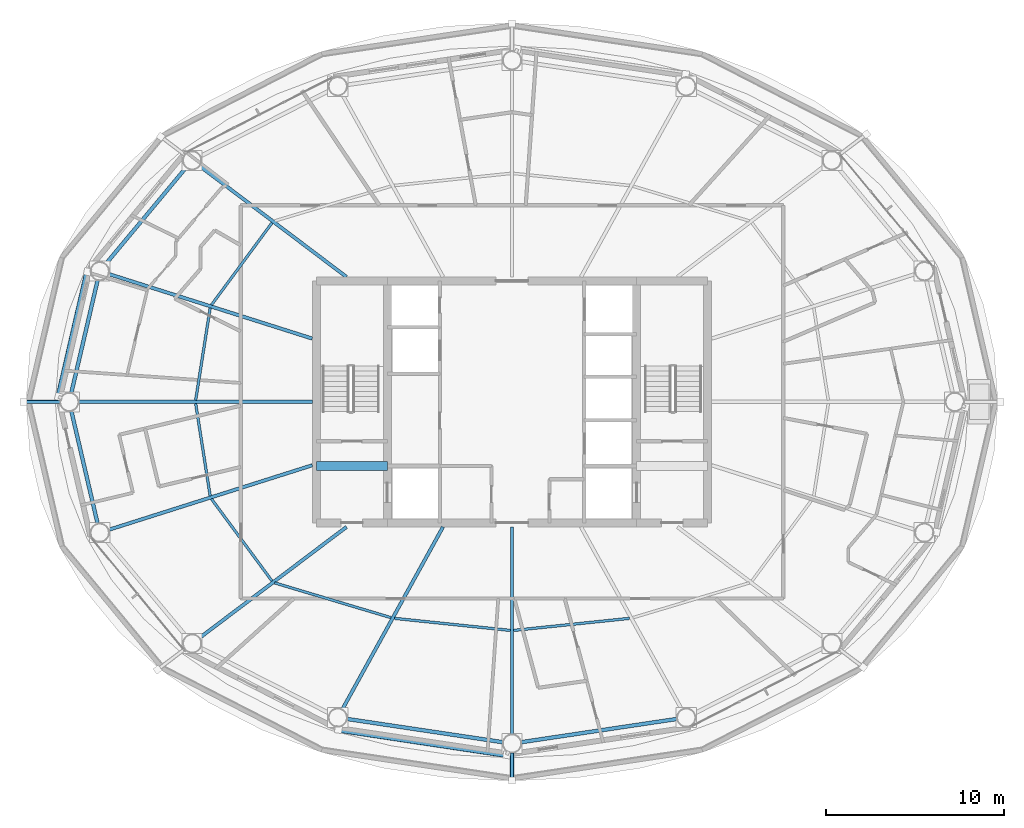
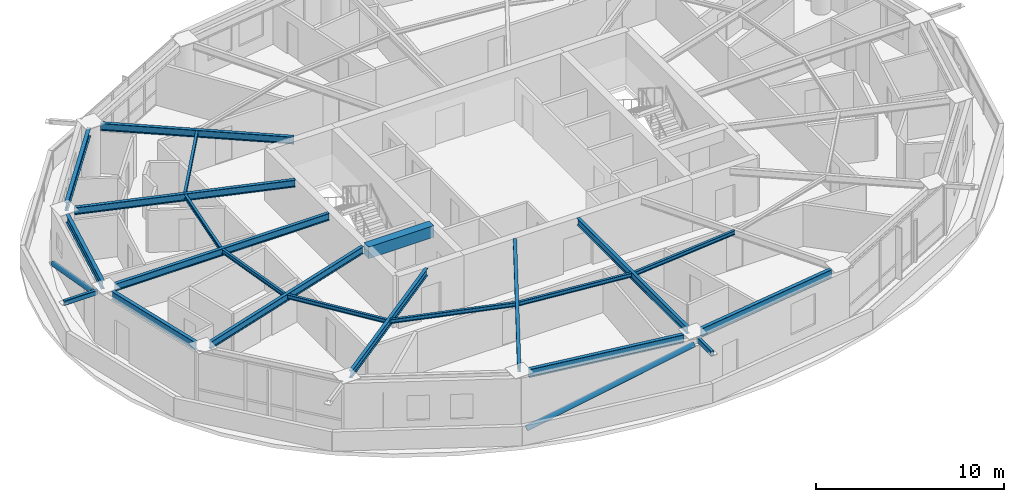
# One storey, part 4 of 22: 20 beams, 4 members.
"""IFC4 building model written with IfcOpenShell, lengths in metres."""

from ifc_helpers import new_model, si_unit, direction, frame, origin, origin_2d, place, context, subcontext, project, spatial, rectangle, hollow_rectangle, hollow_circle, i_section, extrude, material, material_profile, profile_set, type_object, element, save


model = new_model("IFC4")

# Units and contexts
model_context = context("Model", 3, precision=1e-05, world=origin(), true_north=direction((0.0, 1.0)))
body_context = subcontext(model_context, "Body", "Model", "MODEL_VIEW")
ifc_project = project(units=[si_unit("LENGTHUNIT", "METRE"), si_unit("AREAUNIT", "SQUARE_METRE"), si_unit("VOLUMEUNIT", "CUBIC_METRE"), si_unit("PLANEANGLEUNIT", "RADIAN"), si_unit("MASSUNIT", "GRAM", prefix="KILO")], contexts=[model_context])

# Site, building, storey
site_placement = place(None, origin())
site = spatial("IfcSite", under=ifc_project, at=site_placement, CompositionType="ELEMENT")
building_placement = place(site_placement, origin())
building = spatial("IfcBuilding", under=site, at=building_placement, Name="Sarneth Arch Tower", CompositionType="ELEMENT")
storey_placement = place(building_placement, frame((0.0, 0.0, 206.39990234375)))
storey = spatial("IfcBuildingStorey", under=building, at=storey_placement, Name="L52", CompositionType="ELEMENT", Elevation=206.39990234375)

# Beams
ifc_material_1 = material(Name="Steel S355", Category="steel")
ifc_material_profile_1 = material_profile(ifc_material_1, i_section(OverallWidth=0.14794921875, OverallDepth=0.26611328125, WebThickness=0.007568359375, FlangeThickness=0.012939453125, FilletRadius=0.012939453125, at=origin_2d()), Name="W250x44.8")
ifc_profile_set_1 = profile_set([ifc_material_profile_1], Name="Steel S355")
beam_type_1 = type_object("IfcBeamType", Name="BM-JOIST-250", PredefinedType="JOIST", material=ifc_profile_set_1)
beam_1_placement = place(storey_placement, frame((34.514404296875, 52.065185546875, 3.22705078125), z_axis=(-0.593720370701, -0.804671436932, 0.0), x_axis=(0.804671436932, -0.593720370701, 0.0)))
element("IfcBeam", 1, at=beam_1_placement, inside=storey, type_object=beam_type_1, Name="L52 Secondary floor joist 07", PredefinedType="JOIST", context=body_context, shape_type="SweptSolid", body=[
    extrude(i_section(OverallWidth=0.14794921875, OverallDepth=0.26611328125, WebThickness=0.007568359375, FlangeThickness=0.012939453125, FilletRadius=0.012939453125, at=origin_2d()), origin(), (0.0, 0.0, 1.0), 5.7333984375),
])
for number, where, z_axis, x_axis, name in (
    (2, (31.038330078125, 47.279541015625, 3.22705078125), (-0.155272204812, -0.987871723663, 0.0), (0.987871723663, -0.155272204812, 0.0), "L52 Secondary floor joist 08"),
    (3, (30.223388671875, 41.9052734375, 3.22705078125), (0.155272204812, -0.987871723663, 0.0), (0.987871723663, 0.155272204812, 0.0), "L52 Secondary floor joist 09"),
):
    element("IfcBeam", number, at=place(storey_placement, frame(where, z_axis=z_axis, x_axis=x_axis)), inside=storey, type_object=beam_type_1, Name=name, PredefinedType="JOIST", context=body_context, shape_type="SweptSolid", body=[
        extrude(i_section(OverallWidth=0.14794921875, OverallDepth=0.26611328125, WebThickness=0.007568359375, FlangeThickness=0.012939453125, FilletRadius=0.012939453125, at=origin_2d()), origin(), (0.0, 0.0, 1.0), 5.24853515625),
    ])
beam_2_placement = place(storey_placement, frame((31.1103515625, 36.54833984375, 3.22705078125), z_axis=(0.593720370701, -0.804671436932, 0.0), x_axis=(0.804671436932, 0.593720370701, 0.0)))
element("IfcBeam", 4, at=beam_2_placement, inside=storey, type_object=beam_type_1, Name="L52 Secondary floor joist 10", PredefinedType="JOIST", context=body_context, shape_type="SweptSolid", body=[
    extrude(i_section(OverallWidth=0.14794921875, OverallDepth=0.26611328125, WebThickness=0.007568359375, FlangeThickness=0.012939453125, FilletRadius=0.012939453125, at=origin_2d()), origin(), (0.0, 0.0, 1.0), 5.7333984375),
])
beam_3_placement = place(storey_placement, frame((34.663330078125, 31.830078125, 3.22705078125), z_axis=(0.958092748216, -0.286458174636, 0.0), x_axis=(0.286458174636, 0.958092748216, 0.0)))
element("IfcBeam", 5, at=beam_3_placement, inside=storey, type_object=beam_type_1, Name="L52 Secondary floor joist 11", PredefinedType="JOIST", context=body_context, shape_type="SweptSolid", body=[
    extrude(i_section(OverallWidth=0.14794921875, OverallDepth=0.26611328125, WebThickness=0.007568359375, FlangeThickness=0.012939453125, FilletRadius=0.012939453125, at=origin_2d()), origin(), (0.0, 0.0, 1.0), 6.8232421875),
])
for number, where, z_axis, x_axis, name in (
    (6, (41.38818359375, 29.838134765625, 3.22705078125), (0.994627285361, -0.103520834691, 0.0), (0.103520834691, 0.994627285361, 0.0), "L52 Secondary floor joist 12"),
    (7, (48.095458984375, 29.159912109375, 3.22705078125), (0.994627285361, 0.103520834691, 0.0), (-0.103520834691, 0.994627285361, 0.0), "L52 Secondary floor joist 13"),
):
    element("IfcBeam", number, at=place(storey_placement, frame(where, z_axis=z_axis, x_axis=x_axis)), inside=storey, type_object=beam_type_1, Name=name, PredefinedType="JOIST", context=body_context, shape_type="SweptSolid", body=[
        extrude(i_section(OverallWidth=0.14794921875, OverallDepth=0.26611328125, WebThickness=0.007568359375, FlangeThickness=0.012939453125, FilletRadius=0.012939453125, at=origin_2d()), origin(), (0.0, 0.0, 1.0), 6.551513671875),
    ])
ifc_material_2 = material(Name="Concrete C50/60", Category="concrete")
ifc_material_profile_2 = material_profile(ifc_material_2, rectangle(XDim=0.5, YDim=0.75, at=origin_2d()), Name="RC-500x750")
ifc_profile_set_2 = profile_set([ifc_material_profile_2], Name="Concrete C50/60")
beam_type_2 = type_object("IfcBeamType", Name="BM-LINTEL-RC", PredefinedType="LINTEL", material=ifc_profile_set_2)
beam_4_placement = place(storey_placement, frame((37.0, 38.39990234375, 2.985107421875), z_axis=(1.0, 0.0, 0.0), x_axis=(0.0, 1.0, 0.0)))
element("IfcBeam", 8, at=beam_4_placement, inside=storey, type_object=beam_type_2, Name="L52 Core coupling lintel W", PredefinedType="LINTEL", context=body_context, shape_type="SweptSolid", body=[
    extrude(rectangle(XDim=0.5, YDim=0.75, at=origin_2d()), origin(), (0.0, 0.0, 1.0), 4.0),
])
ifc_material_3 = material(Name="Steel S355", Category="steel")
ifc_material_profile_3 = material_profile(ifc_material_3, i_section(OverallWidth=0.19189453125, OverallDepth=0.462890625, WebThickness=0.010498046875, FlangeThickness=0.017578125, FilletRadius=0.01806640625, at=origin_2d()), Name="W460x89")
ifc_profile_set_3 = profile_set([ifc_material_profile_3], Name="Steel S355")
beam_type_3 = type_object("IfcBeamType", Name="BM-RAD-460B", PredefinedType="BEAM", material=ifc_profile_set_3)
beam_5_placement = place(storey_placement, frame((38.698974609375, 49.02490234375, 3.128662109375), z_axis=(-0.797973502924, 0.602692532418, 0.0), x_axis=(-0.602692532418, -0.797973502924, 0.0)))
element("IfcBeam", 9, at=beam_5_placement, inside=storey, type_object=beam_type_3, Name="L52 Radial floor girder 07", PredefinedType="BEAM", context=body_context, shape_type="SweptSolid", body=[
    extrude(i_section(OverallWidth=0.19189453125, OverallDepth=0.462890625, WebThickness=0.010498046875, FlangeThickness=0.017578125, FilletRadius=0.01806640625, at=origin_2d()), origin(), (0.0, 0.0, 1.0), 10.345458984375),
])
beam_6_placement = place(storey_placement, frame((36.77490234375, 45.559814453125, 3.128662109375), z_axis=(-0.953218061148, 0.302283522378, 0.0), x_axis=(-0.302283522378, -0.953218061148, 0.0)))
element("IfcBeam", 10, at=beam_6_placement, inside=storey, type_object=beam_type_3, Name="L52 Radial floor girder 08", PredefinedType="BEAM", context=body_context, shape_type="SweptSolid", body=[
    extrude(i_section(OverallWidth=0.19189453125, OverallDepth=0.462890625, WebThickness=0.010498046875, FlangeThickness=0.017578125, FilletRadius=0.01806640625, at=origin_2d()), origin(), (0.0, 0.0, 1.0), 12.0048828125),
])
beam_7_placement = place(storey_placement, frame((36.77490234375, 42.0, 3.128662109375), z_axis=(-1.0, 0.0, 0.0), x_axis=(0.0, -1.0, 0.0)))
element("IfcBeam", 11, at=beam_7_placement, inside=storey, type_object=beam_type_3, Name="L52 Radial floor girder 09", PredefinedType="BEAM", context=body_context, shape_type="SweptSolid", body=[
    extrude(i_section(OverallWidth=0.19189453125, OverallDepth=0.462890625, WebThickness=0.010498046875, FlangeThickness=0.017578125, FilletRadius=0.01806640625, at=origin_2d()), origin(), (0.0, 0.0, 1.0), 13.133056640625),
])
beam_8_placement = place(storey_placement, frame((36.77490234375, 38.440185546875, 3.128662109375), z_axis=(-0.953218061148, -0.302283522378, 0.0), x_axis=(0.302283522378, -0.953218061148, 0.0)))
element("IfcBeam", 12, at=beam_8_placement, inside=storey, type_object=beam_type_3, Name="L52 Radial floor girder 10", PredefinedType="BEAM", context=body_context, shape_type="SweptSolid", body=[
    extrude(i_section(OverallWidth=0.19189453125, OverallDepth=0.462890625, WebThickness=0.010498046875, FlangeThickness=0.017578125, FilletRadius=0.01806640625, at=origin_2d()), origin(), (0.0, 0.0, 1.0), 12.0048828125),
])
beam_9_placement = place(storey_placement, frame((38.698974609375, 34.97509765625, 3.128662109375), z_axis=(-0.797973502924, -0.602692532418, 0.0), x_axis=(0.602692532418, -0.797973502924, 0.0)))
element("IfcBeam", 13, at=beam_9_placement, inside=storey, type_object=beam_type_3, Name="L52 Radial floor girder 11", PredefinedType="BEAM", context=body_context, shape_type="SweptSolid", body=[
    extrude(i_section(OverallWidth=0.19189453125, OverallDepth=0.462890625, WebThickness=0.010498046875, FlangeThickness=0.017578125, FilletRadius=0.01806640625, at=origin_2d()), origin(), (0.0, 0.0, 1.0), 10.345458984375),
])
beam_10_placement = place(storey_placement, frame((44.12255859375, 34.97509765625, 3.128662109375), z_axis=(-0.483230528767, -0.875493150212, 0.0), x_axis=(0.875493150212, -0.483230528767, 0.0)))
element("IfcBeam", 14, at=beam_10_placement, inside=storey, type_object=beam_type_3, Name="L52 Radial floor girder 12", PredefinedType="BEAM", context=body_context, shape_type="SweptSolid", body=[
    extrude(i_section(OverallWidth=0.19189453125, OverallDepth=0.462890625, WebThickness=0.010498046875, FlangeThickness=0.017578125, FilletRadius=0.01806640625, at=origin_2d()), origin(), (0.0, 0.0, 1.0), 11.712158203125),
])
beam_11_placement = place(storey_placement, frame((48.0, 34.97509765625, 3.128662109375), z_axis=(0.0, -1.0, 0.0), x_axis=(1.0, 0.0, 0.0)))
element("IfcBeam", 15, at=beam_11_placement, inside=storey, type_object=beam_type_3, Name="L52 Radial floor girder 13", PredefinedType="BEAM", context=body_context, shape_type="SweptSolid", body=[
    extrude(i_section(OverallWidth=0.19189453125, OverallDepth=0.462890625, WebThickness=0.010498046875, FlangeThickness=0.017578125, FilletRadius=0.01806640625, at=origin_2d()), origin(), (0.0, 0.0, 1.0), 11.650146484375),
])
ifc_material_4 = material(Name="Steel S355", Category="steel")
ifc_material_profile_4 = material_profile(ifc_material_4, i_section(OverallWidth=0.2109375, OverallDepth=0.5390625, WebThickness=0.01171875, FlangeThickness=0.018798828125, FilletRadius=0.01806640625, at=origin_2d()), Name="W530x109")
ifc_profile_set_4 = profile_set([ifc_material_profile_4], Name="Steel S355")
beam_type_4 = type_object("IfcBeamType", Name="BM-RAD-530B", PredefinedType="BEAM", material=ifc_profile_set_4)
beam_12_placement = place(storey_placement, frame((29.6884765625, 55.17333984375, 3.090576171875), z_axis=(-0.640364654985, -0.76807103099, 0.0), x_axis=(0.76807103099, -0.640364654985, 0.0)))
element("IfcBeam", 16, at=beam_12_placement, inside=storey, type_object=beam_type_4, Name="L52 Perimeter spandrel beam 07", PredefinedType="BEAM", context=body_context, shape_type="SweptSolid", body=[
    extrude(i_section(OverallWidth=0.2109375, OverallDepth=0.5390625, WebThickness=0.01171875, FlangeThickness=0.018798828125, FilletRadius=0.01806640625, at=origin_2d()), origin(), (0.0, 0.0, 1.0), 7.06005859375),
])
for number, where, z_axis, x_axis, name in (
    (17, (24.7119140625, 48.836181640625, 3.090576171875), (-0.227230803906, -0.973840932471, 0.0), (0.973840932471, -0.227230803906, 0.0), "L52 Perimeter spandrel beam 08"),
    (18, (23.236083984375, 41.48876953125, 3.090576171875), (0.227230803906, -0.973840932471, 0.0), (0.973840932471, 0.227230803906, 0.0), "L52 Perimeter spandrel beam 09"),
):
    element("IfcBeam", number, at=place(storey_placement, frame(where, z_axis=z_axis, x_axis=x_axis)), inside=storey, type_object=beam_type_4, Name=name, PredefinedType="BEAM", context=body_context, shape_type="SweptSolid", body=[
        extrude(i_section(OverallWidth=0.2109375, OverallDepth=0.5390625, WebThickness=0.01171875, FlangeThickness=0.018798828125, FilletRadius=0.01806640625, at=origin_2d()), origin(), (0.0, 0.0, 1.0), 6.494873046875),
    ])
for number, where, z_axis, x_axis, name in (
    (19, (38.728515625, 24.18408203125, 3.090576171875), (0.989038715098, -0.147656425652, 0.0), (0.147656425652, 0.989038715098, 0.0), "L52 Perimeter spandrel beam 12"),
    (20, (48.519287109375, 22.87744140625, 3.090576171875), (0.989038715098, 0.147656425652, 0.0), (-0.147656425652, 0.989038715098, 0.0), "L52 Perimeter spandrel beam 13"),
):
    element("IfcBeam", number, at=place(storey_placement, frame(where, z_axis=z_axis, x_axis=x_axis)), inside=storey, type_object=beam_type_4, Name=name, PredefinedType="BEAM", context=body_context, shape_type="SweptSolid", body=[
        extrude(i_section(OverallWidth=0.2109375, OverallDepth=0.5390625, WebThickness=0.01171875, FlangeThickness=0.018798828125, FilletRadius=0.01806640625, at=origin_2d()), origin(), (0.0, 0.0, 1.0), 8.84912109375),
    ])

# Members
ifc_material_5 = material(Name="Steel S355", Category="steel")
ifc_material_profile_5 = material_profile(ifc_material_5, hollow_rectangle(XDim=0.199951171875, YDim=0.300048828125, WallThickness=0.012451171875, InnerFilletRadius=0.018798828125, OuterFilletRadius=0.03125, at=origin_2d()), Name="RHS300x200x12.5")
ifc_profile_set_5 = profile_set([ifc_material_profile_5], Name="Steel S355")
member_type_1 = type_object("IfcMemberType", Name="MEM-CANT-STRUT", PredefinedType="STRUT", material=ifc_profile_set_5)
member_1_placement = place(storey_placement, frame((22.591796875, 42.0, 3.2001953125), z_axis=(-1.0, 0.0, 0.0), x_axis=(0.0, -1.0, 0.0)))
element("IfcMember", 21, at=member_1_placement, inside=storey, type_object=member_type_1, Name="L52 Balcony cantilever bracket 09", PredefinedType="STRUT", context=body_context, shape_type="SweptSolid", body=[
    extrude(hollow_rectangle(XDim=0.199951171875, YDim=0.300048828125, WallThickness=0.012451171875, InnerFilletRadius=0.018798828125, OuterFilletRadius=0.03125, at=origin_2d()), origin(), (0.0, 0.0, 1.0), 2.05126953125),
])
member_2_placement = place(storey_placement, frame((48.0, 22.27490234375, 3.2001953125), z_axis=(0.0, -1.0, 0.0), x_axis=(1.0, 0.0, 0.0)))
element("IfcMember", 22, at=member_2_placement, inside=storey, type_object=member_type_1, Name="L52 Balcony cantilever bracket 13", PredefinedType="STRUT", context=body_context, shape_type="SweptSolid", body=[
    extrude(hollow_rectangle(XDim=0.199951171875, YDim=0.300048828125, WallThickness=0.012451171875, InnerFilletRadius=0.018798828125, OuterFilletRadius=0.03125, at=origin_2d()), origin(), (0.0, 0.0, 1.0), 1.548583984375),
])
ifc_material_6 = material(Name="Steel S355", Category="steel")
ifc_material_profile_6 = material_profile(ifc_material_6, hollow_circle(Radius=0.162109375, WallThickness=0.012451171875, at=origin_2d()), Name="CHS324x12.5")
ifc_profile_set_6 = profile_set([ifc_material_profile_6], Name="Steel S355")
member_type_2 = type_object("IfcMemberType", Name="MEM-DIAG-BR3", PredefinedType="BRACE", material=ifc_profile_set_6)
member_3_placement = place(storey_placement, frame((24.148193359375, 49.3154296875, 0.02001953125), z_axis=(-0.207917989892, -0.898749333617, 0.386030756289), x_axis=(0.974268900284, -0.225388797281, 0.0)))
element("IfcMember", 23, at=member_3_placement, inside=storey, type_object=member_type_2, Name="L52 Perimeter frame diagonal 08", PredefinedType="BRACE", context=body_context, shape_type="SweptSolid", body=[
    extrude(hollow_circle(Radius=0.162109375, WallThickness=0.012451171875, at=origin_2d()), origin(), (0.0, 0.0, 1.0), 7.814453125),
])
member_4_placement = place(storey_placement, frame((38.245849609375, 23.588623046875, 0.02001953125), z_axis=(0.943056107878, -0.142001297879, 0.300800280576), x_axis=(0.148897148305, 0.988852688335, 0.0)))
element("IfcMember", 24, at=member_4_placement, inside=storey, type_object=member_type_2, Name="L52 Perimeter frame diagonal 12", PredefinedType="BRACE", context=body_context, shape_type="SweptSolid", body=[
    extrude(hollow_circle(Radius=0.162109375, WallThickness=0.012451171875, at=origin_2d()), origin(), (0.0, 0.0, 1.0), 10.028564453125),
])

save(model, "model.ifc")
